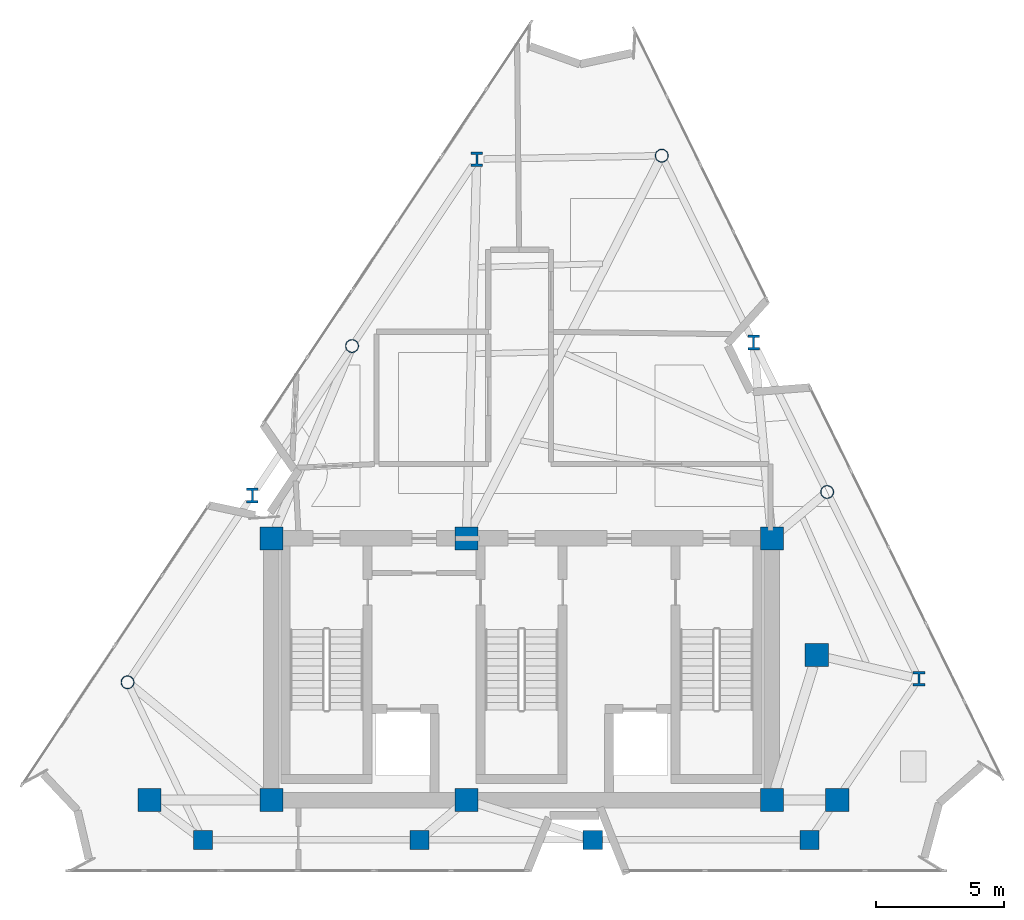
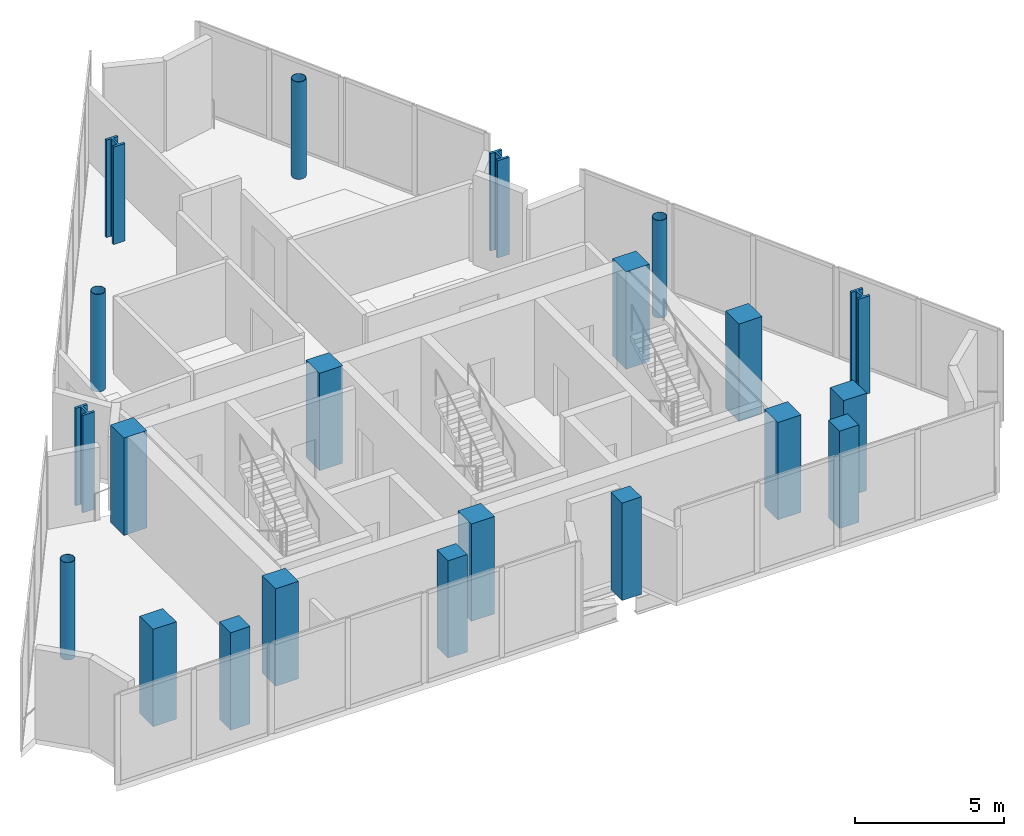
# One storey, part 1 of 9: 21 columns.
"""IFC4 building model written with IfcOpenShell, lengths in metres."""

from ifc_helpers import new_model, si_unit, direction, frame, origin, origin_2d, place, context, subcontext, project, spatial, rectangle, hollow_circle, i_section, extrude, material, material_profile, profile_set, type_object, element, save


model = new_model("IFC4")

# Units and contexts
model_context = context("Model", 3, precision=1e-05, world=origin(), true_north=direction((0.0, 1.0)))
body_context = subcontext(model_context, "Body", "Model", "MODEL_VIEW")
ifc_project = project(units=[si_unit("LENGTHUNIT", "METRE"), si_unit("AREAUNIT", "SQUARE_METRE"), si_unit("VOLUMEUNIT", "CUBIC_METRE"), si_unit("PLANEANGLEUNIT", "RADIAN"), si_unit("MASSUNIT", "GRAM", prefix="KILO")], contexts=[model_context])

# Site, building, storey
site_placement = place(None, origin())
site = spatial("IfcSite", under=ifc_project, at=site_placement, CompositionType="ELEMENT")
building_placement = place(site_placement, origin())
building = spatial("IfcBuilding", under=site, at=building_placement, Name="Almagre Mirador Tower", CompositionType="ELEMENT")
storey_placement = place(building_placement, frame((0.0, 0.0, 302.5)))
storey = spatial("IfcBuildingStorey", under=building, at=storey_placement, Name="L78", CompositionType="ELEMENT", Elevation=302.5)

# Columns
ifc_material_1 = material(Name="Concrete C60/75", Category="concrete")
ifc_material_profile_1 = material_profile(ifc_material_1, rectangle(XDim=0.75, YDim=0.75, at=origin_2d()), Name="RC750X750")
ifc_profile_set_1 = profile_set([ifc_material_profile_1], Name="Concrete C60/75")
column_type_1 = type_object("IfcColumnType", Name="COL-RC750", PredefinedType="COLUMN", material=ifc_profile_set_1)
for number, where, z_axis, x_axis, name in (
    (1, (24.884033203125, 3.0, 0.0), (0.0, 0.0, 1.0), (1.0, 0.0, 0.0), "L78 perimeter column PC01"),
    (2, (33.323974609375, 3.0, 0.0), (0.0, 0.0, 1.0), (1.0, 0.0, 0.0), "L78 perimeter column PC02"),
    (3, (40.075927734375, 3.0, 0.0), (0.0, 0.0, 1.0), (1.0, 0.0, 0.0), "L78 perimeter column PC03"),
    (4, (48.51611328125, 3.0, 0.0), (0.0, 0.0, 1.0), (1.0, 0.0, 0.0), "L78 perimeter column PC04"),
):
    element("IfcColumn", number, at=place(storey_placement, frame(where, z_axis=z_axis, x_axis=x_axis)), inside=storey, type_object=column_type_1, Name=name, PredefinedType="COLUMN", context=body_context, shape_type="SweptSolid", body=[
        extrude(rectangle(XDim=0.75, YDim=0.75, at=origin_2d()), origin(), (0.0, 0.0, 1.0), 4.0),
    ])
ifc_material_2 = material(Name="Concrete C60/75", Category="concrete")
ifc_material_profile_2 = material_profile(ifc_material_2, rectangle(XDim=0.89990234375, YDim=0.89990234375, at=origin_2d()), Name="RC900X900")
ifc_profile_set_2 = profile_set([ifc_material_profile_2], Name="Concrete C60/75")
column_type_2 = type_object("IfcColumnType", Name="COL-RC900", PredefinedType="COLUMN", material=ifc_profile_set_2)
for number, where, z_axis, x_axis, name in (
    (5, (27.550048828125, 4.550048828125, 0.0), (0.0, 0.0, 1.0), (1.0, 0.0, 0.0), "L78 core spine column CC1"),
    (6, (35.14990234375, 4.550048828125, 0.0), (0.0, 0.0, 1.0), (1.0, 0.0, 0.0), "L78 core spine column CC2"),
    (7, (47.050048828125, 4.550048828125, 0.0), (0.0, 0.0, 1.0), (1.0, 0.0, 0.0), "L78 core spine column CC3"),
    (8, (27.550048828125, 14.75, 0.0), (0.0, 0.0, 1.0), (1.0, 0.0, 0.0), "L78 core spine column CC4"),
    (9, (35.14990234375, 14.75, 0.0), (0.0, 0.0, 1.0), (1.0, 0.0, 0.0), "L78 core spine column CC5"),
    (10, (47.050048828125, 14.75, 0.0), (0.0, 0.0, 1.0), (1.0, 0.0, 0.0), "L78 core spine column CC6"),
    (11, (22.800048828125, 4.550048828125, 0.0), (0.0, 0.0, 1.0), (1.0, 0.0, 0.0), "L78 interior transfer column MC1"),
    (12, (49.60009765625, 4.550048828125, 0.0), (0.0, 0.0, 1.0), (1.0, 0.0, 0.0), "L78 interior transfer column MC2"),
    (13, (48.800048828125, 10.199951171875, 0.0), (0.0, 0.0, 1.0), (1.0, 0.0, 0.0), "L78 interior transfer column MC3"),
):
    element("IfcColumn", number, at=place(storey_placement, frame(where, z_axis=z_axis, x_axis=x_axis)), inside=storey, type_object=column_type_2, Name=name, PredefinedType="COLUMN", context=body_context, shape_type="SweptSolid", body=[
        extrude(rectangle(XDim=0.89990234375, YDim=0.89990234375, at=origin_2d()), origin(), (0.0, 0.0, 1.0), 4.0),
    ])
ifc_material_3 = material(Name="Steel ASTM A500 Grade C", Category="steel")
ifc_material_profile_3 = material_profile(ifc_material_3, hollow_circle(Radius=0.25390625, WallThickness=0.01611328125, at=origin_2d()), Name="CHS508X16")
ifc_profile_set_3 = profile_set([ifc_material_profile_3], Name="Steel ASTM A500 Grade C")
column_type_3 = type_object("IfcColumnType", Name="COL-STL-CHS508", PredefinedType="COLUMN", material=ifc_profile_set_3)
for number, where, z_axis, x_axis, name in (
    (14, (49.205078125, 16.55810546875, 0.0), (0.0, 0.0, 1.0), (1.0, 0.0, 0.0), "L78 perimeter column PC06"),
    (15, (42.760986328125, 29.662109375, 0.0), (0.0, 0.0, 1.0), (1.0, 0.0, 0.0), "L78 perimeter column PC08"),
    (16, (30.69189453125, 22.24609375, 0.0), (0.0, 0.0, 1.0), (1.0, 0.0, 0.0), "L78 perimeter column PC10"),
    (17, (21.944091796875, 9.14208984375, 0.0), (0.0, 0.0, 1.0), (1.0, 0.0, 0.0), "L78 perimeter column PC12"),
):
    element("IfcColumn", number, at=place(storey_placement, frame(where, z_axis=z_axis, x_axis=x_axis)), inside=storey, type_object=column_type_3, Name=name, PredefinedType="COLUMN", context=body_context, shape_type="SweptSolid", body=[
        extrude(hollow_circle(Radius=0.25390625, WallThickness=0.01611328125, at=origin_2d()), origin(), (0.0, 0.0, 1.0), 4.0),
    ])
ifc_material_4 = material(Name="Steel ASTM A992 Grade 50", Category="steel")
ifc_material_profile_4 = material_profile(ifc_material_4, i_section(OverallWidth=0.4541015625, OverallDepth=0.570068359375, WebThickness=0.077880859375, FlangeThickness=0.093994140625, FilletRadius=0.02001953125, at=origin_2d()), Name="W14X730")
ifc_profile_set_4 = profile_set([ifc_material_profile_4], Name="Steel ASTM A992 Grade 50")
column_type_4 = type_object("IfcColumnType", Name="COL-STL-W14X730", PredefinedType="COLUMN", material=ifc_profile_set_4)
for number, where, z_axis, x_axis, name in (
    (18, (52.784912109375, 9.278076171875, 0.0), (0.0, 0.0, 1.0), (1.0, 0.0, 0.0), "L78 perimeter column PC05"),
    (19, (46.341064453125, 22.382080078125, 0.0), (0.0, 0.0, 1.0), (1.0, 0.0, 0.0), "L78 perimeter column PC07"),
    (20, (35.552001953125, 29.52587890625, 0.0), (0.0, 0.0, 1.0), (1.0, 0.0, 0.0), "L78 perimeter column PC09"),
    (21, (26.803955078125, 16.422119140625, 0.0), (0.0, 0.0, 1.0), (1.0, 0.0, 0.0), "L78 perimeter column PC11"),
):
    element("IfcColumn", number, at=place(storey_placement, frame(where, z_axis=z_axis, x_axis=x_axis)), inside=storey, type_object=column_type_4, Name=name, PredefinedType="COLUMN", context=body_context, shape_type="SweptSolid", body=[
        extrude(i_section(OverallWidth=0.4541015625, OverallDepth=0.570068359375, WebThickness=0.077880859375, FlangeThickness=0.093994140625, FilletRadius=0.02001953125, at=origin_2d()), origin(), (0.0, 0.0, 1.0), 4.0),
    ])

save(model, "model.ifc")
